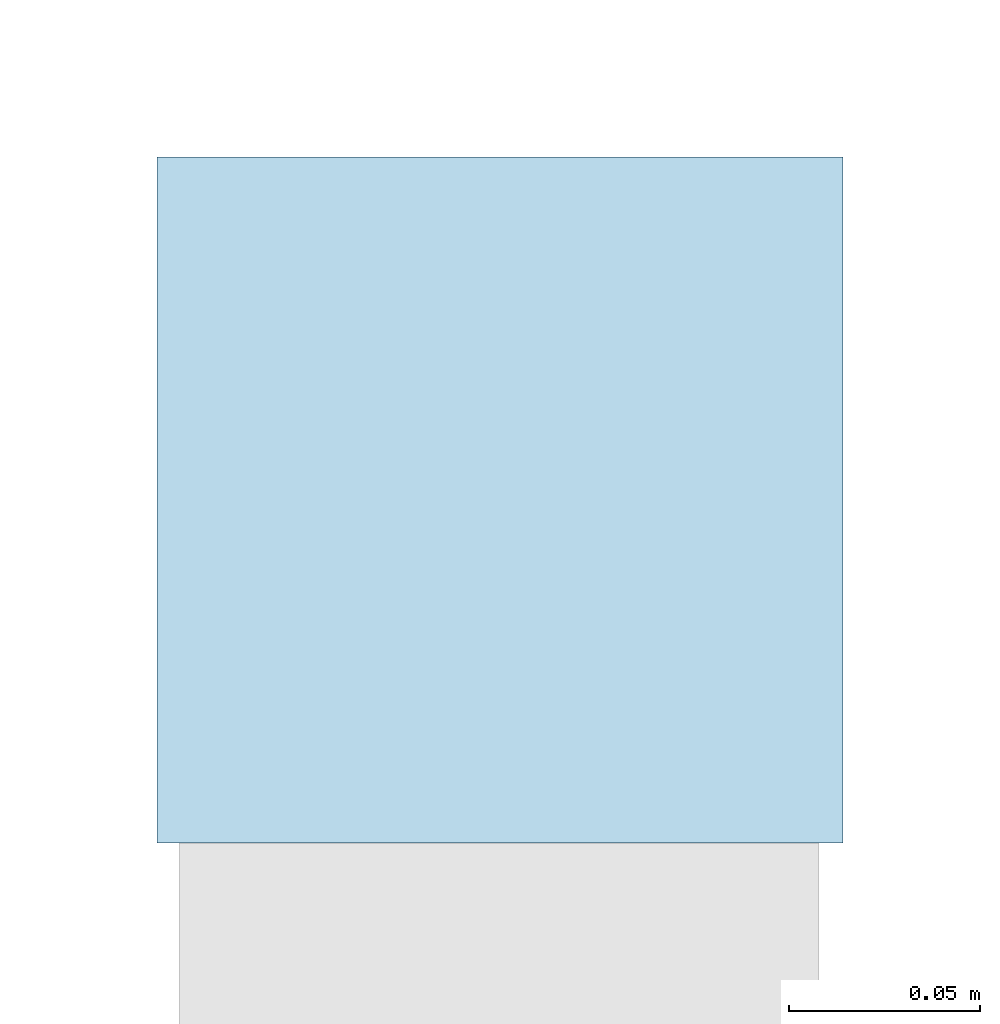
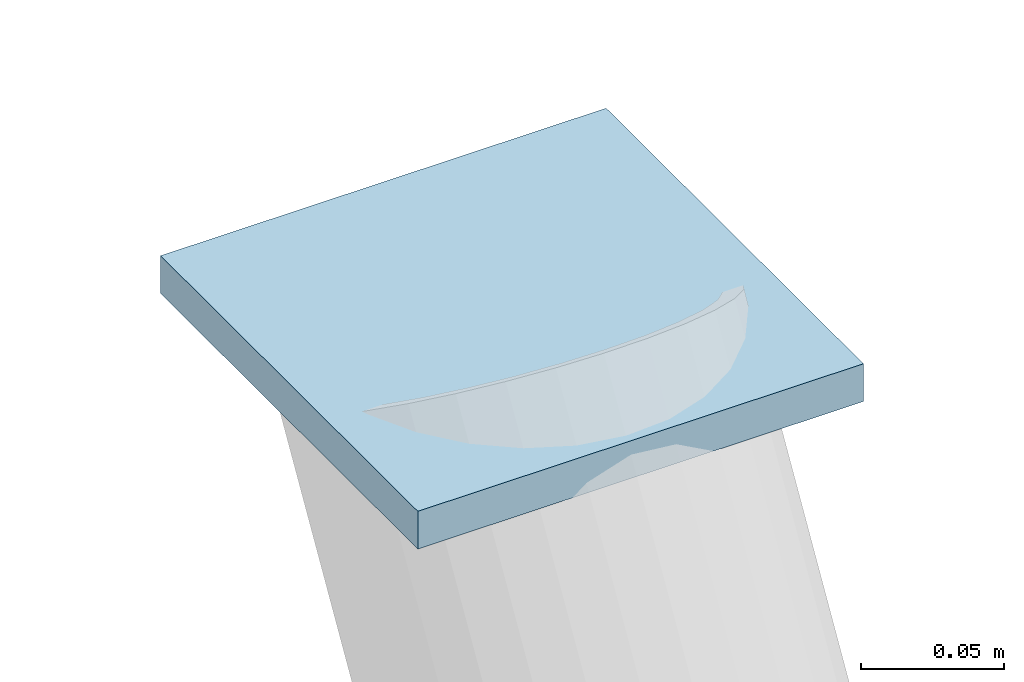
# One storey, part 71 of 84: 1 plate.
"""IFC4 building model written with IfcOpenShell, lengths in metres."""

import ifcopenshell
import ifcopenshell.guid

model = None  # the IFC model being written
_history = None  # IfcOwnerHistory: only IFC2X3 demands one
_inside = {}  # id of a spatial element -> (the spatial element, [elements in it])
_under = {}  # id of a project, library or spatial element -> (it, [spatial elements below it])
_declared = {}  # id of a project -> (the project, [libraries it declares])
_typed = {}  # id of a type object -> (the type object, [elements of that type])
_made_of = {}  # id of a material, layer set ... -> (it, [elements and type objects made of it])


def new_model(schema):
    """Start an empty IFC model of exactly this schema.

    Asked for "IFC4X3", IfcOpenShell would pick the latest addendum, in which some entities
    have other attributes; the version numbers below select the first issue.
    IFC2X3 requires an IfcOwnerHistory on every rooted entity: one is made here for all.
    """
    global model, _history
    if schema == "IFC4X3":
        model = ifcopenshell.file(schema_version=(4, 3, 0, 0))
    else:
        model = ifcopenshell.file(schema=schema)
    _inside.clear()
    _under.clear()
    _declared.clear()
    _typed.clear()
    _made_of.clear()
    _history = None
    if model.schema == "IFC2X3":
        org = make("IfcOrganization", Name="unknown")
        user = make(
            "IfcPersonAndOrganization",
            ThePerson=make("IfcPerson", FamilyName="unknown"),
            TheOrganization=org,
        )
        app = make(
            "IfcApplication",
            ApplicationDeveloper=org,
            Version="unknown",
            ApplicationFullName="unknown",
            ApplicationIdentifier="unknown",
        )
        _history = make(
            "IfcOwnerHistory",
            OwningUser=user,
            OwningApplication=app,
            ChangeAction="ADDED",
            CreationDate=0,
        )
    return model


def make(cls, **values):
    """One entity of the class cls with the attributes given. An attribute that is None is left unset."""
    return model.create_entity(
        cls, **{name: value for name, value in values.items() if value is not None}
    )


def rooted(cls, **values):
    """An entity with a GlobalId (a new one), such as an element, a storey or a relation."""
    return make(cls, GlobalId=ifcopenshell.guid.new(), OwnerHistory=_history, **values)


def si_unit(unit_type, name, prefix=None):
    """IfcSIUnit, for example si_unit("LENGTHUNIT", "METRE", prefix="MILLI")."""
    return make("IfcSIUnit", UnitType=unit_type, Prefix=prefix, Name=name)


def assignment(units):
    """IfcUnitAssignment: the units of a project."""
    return None if units is None else make("IfcUnitAssignment", Units=units)


def point(xyz):
    """IfcCartesianPoint."""
    return None if xyz is None else make("IfcCartesianPoint", Coordinates=xyz)


def direction(xyz):
    """IfcDirection."""
    return None if xyz is None else make("IfcDirection", DirectionRatios=xyz)


def frame(location, z_axis=None, x_axis=None):
    """IfcAxis2Placement3D, a coordinate frame: its origin and axes. An axis left out is left unset."""
    return make(
        "IfcAxis2Placement3D",
        Location=point(location),
        Axis=direction(z_axis),
        RefDirection=direction(x_axis),
    )


def frame_2d(location, x_axis=None):
    """IfcAxis2Placement2D, a coordinate frame in the plane: its origin and x axis."""
    return make(
        "IfcAxis2Placement2D", Location=point(location), RefDirection=direction(x_axis)
    )


def origin():
    """The frame at (0, 0, 0) with its axes left unset."""
    return frame((0.0, 0.0, 0.0))


def origin_2d():
    """The frame at (0, 0) in the plane with its x axis left unset."""
    return frame_2d((0.0, 0.0))


def place(relative_to, where):
    """IfcLocalPlacement: puts the frame where relative to a parent placement (None: the world)."""
    return make(
        "IfcLocalPlacement", PlacementRelTo=relative_to, RelativePlacement=where
    )


def context(
    kind, dimensions, precision=None, world=None, true_north=None, identifier=None
):
    """IfcGeometricRepresentationContext, for example the 3D "Model" context."""
    return make(
        "IfcGeometricRepresentationContext",
        ContextIdentifier=identifier,
        ContextType=kind,
        CoordinateSpaceDimension=dimensions,
        Precision=precision,
        WorldCoordinateSystem=world,
        TrueNorth=true_north,
    )


def subcontext(parent, identifier, kind, view, scale=None):
    """IfcGeometricRepresentationSubContext, for example "Body" below "Model"."""
    return make(
        "IfcGeometricRepresentationSubContext",
        ContextIdentifier=identifier,
        ContextType=kind,
        ParentContext=parent,
        TargetScale=scale,
        TargetView=view,
    )


def project(units=None, contexts=None):
    """IfcProject with its units and contexts."""
    return rooted(
        "IfcProject",
        Name="project",
        RepresentationContexts=contexts,
        UnitsInContext=assignment(units),
    )


def spatial(cls, under=None, at=None, **own):
    """A site, building, storey or space (cls), placed at a placement, below another one or the project."""
    s = rooted(cls, ObjectPlacement=at, **own)
    if under is not None:
        _under.setdefault(under.id(), (under, []))[1].append(s)
    return s


def profile(cls, at=None, kind="AREA", **sizes):
    """A parametric profile (cls). Its sizes go by their IFC names, for example OverallWidth=200.0."""
    return make(cls, ProfileType=kind, Position=at, **sizes)


def rectangle(**sizes):
    """IfcRectangleProfileDef."""
    return profile("IfcRectangleProfileDef", **sizes)


def extrude(swept, where, along, depth):
    """IfcExtrudedAreaSolid: the profile swept, set in the frame where, extruded along a direction by depth."""
    return make(
        "IfcExtrudedAreaSolid",
        SweptArea=swept,
        Position=where,
        ExtrudedDirection=direction(along),
        Depth=depth,
    )


def shape(context_of_items, identifier, shape_type, items):
    """IfcShapeRepresentation: the items that make up one representation, for example the "Body"."""
    return make(
        "IfcShapeRepresentation",
        ContextOfItems=context_of_items,
        RepresentationIdentifier=identifier,
        RepresentationType=shape_type,
        Items=items,
    )


def material(Name=None, Category=None):
    """IfcMaterial."""
    return make("IfcMaterial", Name=Name, Category=Category)


def layer(
    of_material, thickness, ventilated=None, Name=None, Category=None, Priority=None
):
    """IfcMaterialLayer: one layer of a wall or slab, of a material (None: an air gap)."""
    return make(
        "IfcMaterialLayer",
        Material=of_material,
        LayerThickness=thickness,
        IsVentilated=ventilated,
        Name=Name,
        Category=Category,
        Priority=Priority,
    )


def layer_set(layers, Name=None):
    """IfcMaterialLayerSet."""
    return make("IfcMaterialLayerSet", MaterialLayers=layers, LayerSetName=Name)


def made_of(thing, what):
    """Note that an element or type object is made of a material, layer set ...; save() writes the relation."""
    if what is not None:
        _made_of.setdefault(what.id(), (what, []))[1].append(thing)
    return thing


def type_object(cls, material=None, **own):
    """A type object (cls), such as IfcWallType, which elements share."""
    return made_of(rooted(cls, **own), material)


def element(
    cls,
    number,
    at=None,
    inside=None,
    cuts=None,
    type_object=None,
    material=None,
    context=None,
    identifier="Body",
    shape_type=None,
    held_by="IfcProductDefinitionShape",
    body=None,
    shapes=None,
    **own,
):
    """One element of the class cls, such as IfcWall. Its Tag is "e" and its number.

    at: its placement. inside: the storey or other place that contains it. cuts: it is an
    opening in that element (IfcRelVoidsElement). A single representation is given by context,
    identifier, shape_type and body (its items); several are given by shapes. held_by: the class
    of the entity that holds the representations. save() writes the other relations.
    """
    e = rooted(cls, Tag="e%d" % number, ObjectPlacement=at, **own)
    if body is not None:
        shapes = [shape(context, identifier, shape_type, body)]
    if shapes is not None:
        e.Representation = make(held_by, Representations=shapes)
    if inside is not None:
        _inside.setdefault(inside.id(), (inside, []))[1].append(e)
    if cuts is not None:
        rooted(
            "IfcRelVoidsElement", RelatingBuildingElement=cuts, RelatedOpeningElement=e
        )
    if type_object is not None:
        _typed.setdefault(type_object.id(), (type_object, []))[1].append(e)
    return made_of(e, material)


def aggregate(whole, parts):
    """IfcRelAggregates: a whole, such as a stair, and the parts it consists of."""
    return rooted("IfcRelAggregates", RelatingObject=whole, RelatedObjects=parts)


def save(model, path):
    """Write the relations noted so far, then the file.

    IfcRelAggregates (storeys below a building ...), IfcRelContainedInSpatialStructure (elements
    in a storey), IfcRelDefinesByType, IfcRelAssociatesMaterial and IfcRelDeclares: one each for
    every whole, place, type object, material and project.
    """
    for whole, parts in _under.values():
        aggregate(whole, parts)
    for where, things in _inside.values():
        rooted(
            "IfcRelContainedInSpatialStructure",
            RelatedElements=things,
            RelatingStructure=where,
        )
    for kind, things in _typed.values():
        rooted("IfcRelDefinesByType", RelatedObjects=things, RelatingType=kind)
    for what, things in _made_of.values():
        rooted("IfcRelAssociatesMaterial", RelatedObjects=things, RelatingMaterial=what)
    for by, libraries in _declared.values():
        rooted("IfcRelDeclares", RelatingContext=by, RelatedDefinitions=libraries)
    model.write(path)


model = new_model("IFC4")

# Units and contexts
model_context = context("Model", 3, precision=1e-05, world=origin(), true_north=direction((0.0, 1.0)))
body_context = subcontext(model_context, "Body", "Model", "MODEL_VIEW")
ifc_project = project(units=[si_unit("LENGTHUNIT", "METRE"), si_unit("AREAUNIT", "SQUARE_METRE"), si_unit("VOLUMEUNIT", "CUBIC_METRE"), si_unit("PLANEANGLEUNIT", "RADIAN"), si_unit("MASSUNIT", "GRAM", prefix="KILO")], contexts=[model_context])

# Site, building, storey
site_placement = place(None, origin())
site = spatial("IfcSite", under=ifc_project, at=site_placement, CompositionType="ELEMENT")
building_placement = place(site_placement, origin())
building = spatial("IfcBuilding", under=site, at=building_placement, Name="Tenunan Teduh Sports Hall", CompositionType="ELEMENT")
storey_placement = place(building_placement, frame((0.0, 0.0, 10.800048828125)))
storey = spatial("IfcBuildingStorey", under=building, at=storey_placement, Name="L02", CompositionType="ELEMENT", Elevation=10.800048828125)

# Plate
ifc_material = material(Name="Steel S355", Category="steel")
ifc_layer = layer(ifc_material, 0.01611328125)
ifc_layer_set = layer_set([ifc_layer], Name="Steel S355")
plate_type = type_object("IfcPlateType", Name="PLT-CAP-180", PredefinedType="SHEET", material=ifc_layer_set)
plate_placement = place(storey_placement, frame((62.0, 119.199951171875, 3.419921875), z_axis=(0.0, 0.0, 1.0), x_axis=(1.0, 0.0, 0.0)))
element("IfcPlate", 1, at=plate_placement, inside=storey, type_object=plate_type, Name="PLT-CAP-L02-016", PredefinedType="SHEET", context=body_context, shape_type="SweptSolid", body=[
    extrude(rectangle(XDim=0.179931640625, YDim=0.179931640625, at=origin_2d()), origin(), (0.0, 0.0, 1.0), 0.01611328125),
])

save(model, "model.ifc")
